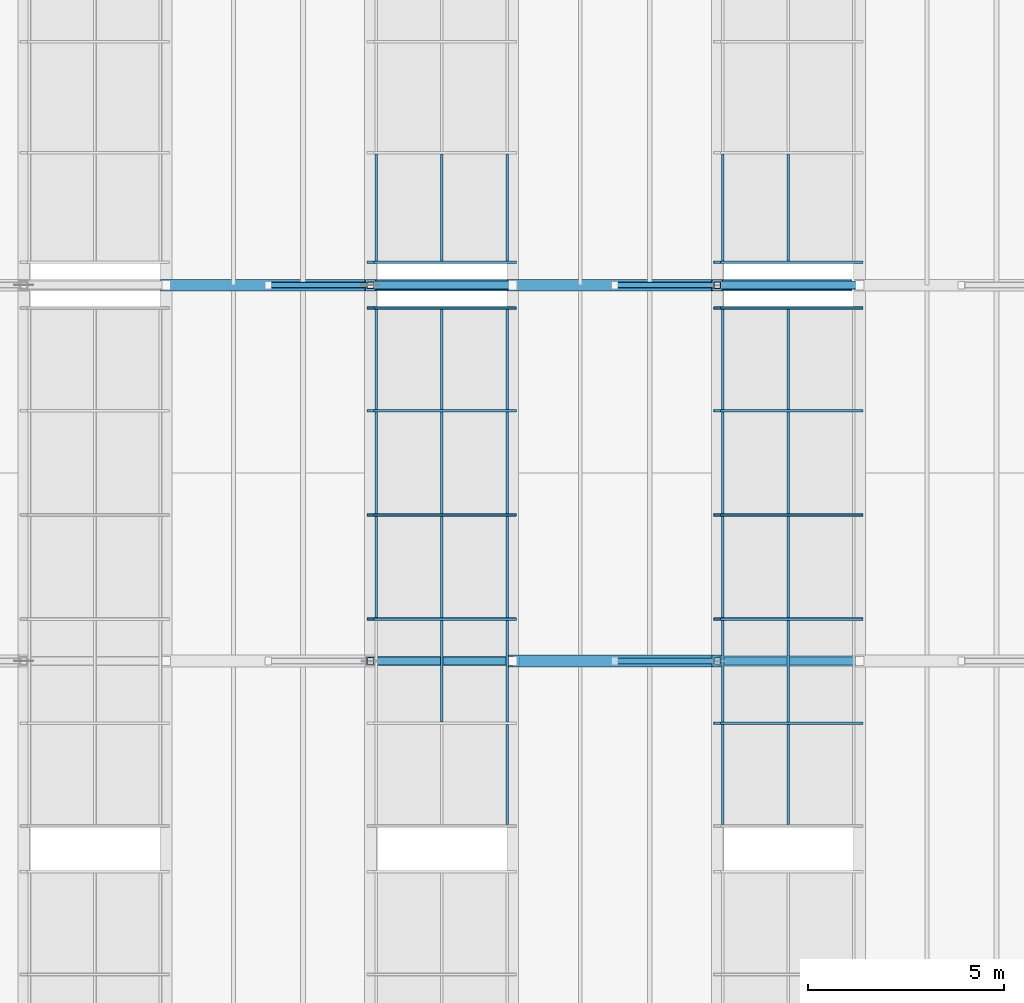
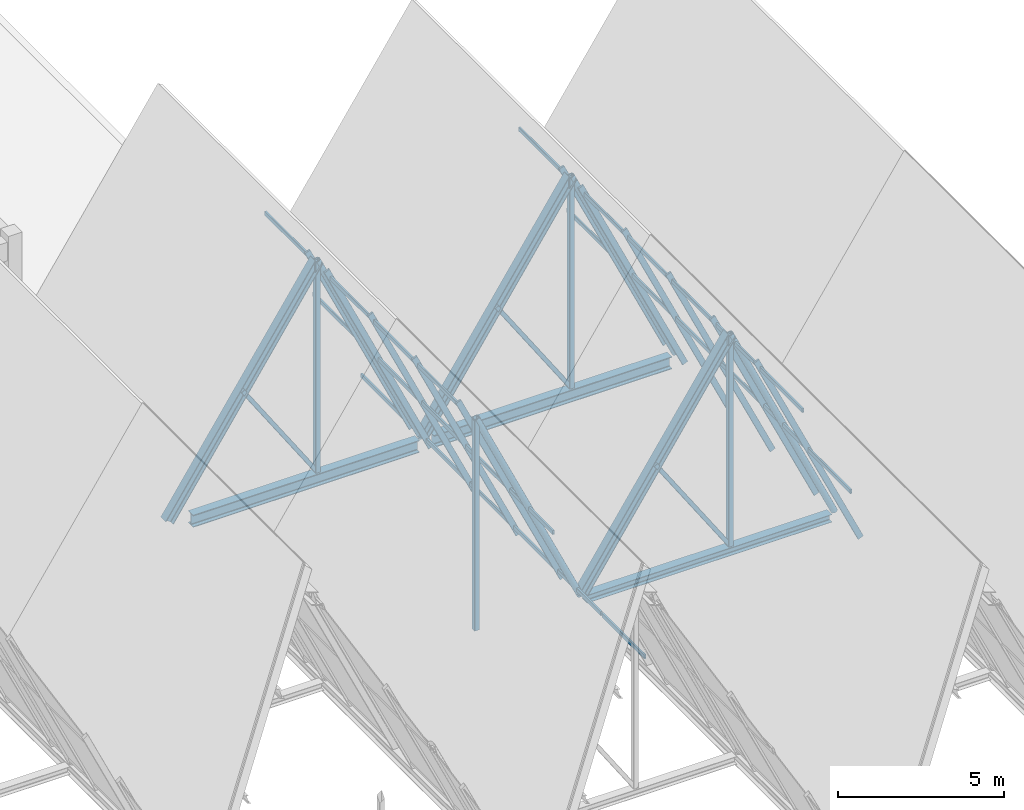
# One storey, part 56 of 99: 53 members, 2 beams, 4 elements without a shape of their own.
"""IFC4 building model written with IfcOpenShell, lengths in metres."""

import ifcopenshell
import ifcopenshell.guid

model = None  # the IFC model being written
_history = None  # IfcOwnerHistory: only IFC2X3 demands one
_inside = {}  # id of a spatial element -> (the spatial element, [elements in it])
_under = {}  # id of a project, library or spatial element -> (it, [spatial elements below it])
_declared = {}  # id of a project -> (the project, [libraries it declares])
_typed = {}  # id of a type object -> (the type object, [elements of that type])
_made_of = {}  # id of a material, layer set ... -> (it, [elements and type objects made of it])


def new_model(schema):
    """Start an empty IFC model of exactly this schema.

    Asked for "IFC4X3", IfcOpenShell would pick the latest addendum, in which some entities
    have other attributes; the version numbers below select the first issue.
    IFC2X3 requires an IfcOwnerHistory on every rooted entity: one is made here for all.
    """
    global model, _history
    if schema == "IFC4X3":
        model = ifcopenshell.file(schema_version=(4, 3, 0, 0))
    else:
        model = ifcopenshell.file(schema=schema)
    _inside.clear()
    _under.clear()
    _declared.clear()
    _typed.clear()
    _made_of.clear()
    _history = None
    if model.schema == "IFC2X3":
        org = make("IfcOrganization", Name="unknown")
        user = make(
            "IfcPersonAndOrganization",
            ThePerson=make("IfcPerson", FamilyName="unknown"),
            TheOrganization=org,
        )
        app = make(
            "IfcApplication",
            ApplicationDeveloper=org,
            Version="unknown",
            ApplicationFullName="unknown",
            ApplicationIdentifier="unknown",
        )
        _history = make(
            "IfcOwnerHistory",
            OwningUser=user,
            OwningApplication=app,
            ChangeAction="ADDED",
            CreationDate=0,
        )
    return model


def make(cls, **values):
    """One entity of the class cls with the attributes given. An attribute that is None is left unset."""
    return model.create_entity(
        cls, **{name: value for name, value in values.items() if value is not None}
    )


def rooted(cls, **values):
    """An entity with a GlobalId (a new one), such as an element, a storey or a relation."""
    return make(cls, GlobalId=ifcopenshell.guid.new(), OwnerHistory=_history, **values)


def si_unit(unit_type, name, prefix=None):
    """IfcSIUnit, for example si_unit("LENGTHUNIT", "METRE", prefix="MILLI")."""
    return make("IfcSIUnit", UnitType=unit_type, Prefix=prefix, Name=name)


def assignment(units):
    """IfcUnitAssignment: the units of a project."""
    return None if units is None else make("IfcUnitAssignment", Units=units)


def point(xyz):
    """IfcCartesianPoint."""
    return None if xyz is None else make("IfcCartesianPoint", Coordinates=xyz)


def direction(xyz):
    """IfcDirection."""
    return None if xyz is None else make("IfcDirection", DirectionRatios=xyz)


def frame(location, z_axis=None, x_axis=None):
    """IfcAxis2Placement3D, a coordinate frame: its origin and axes. An axis left out is left unset."""
    return make(
        "IfcAxis2Placement3D",
        Location=point(location),
        Axis=direction(z_axis),
        RefDirection=direction(x_axis),
    )


def frame_2d(location, x_axis=None):
    """IfcAxis2Placement2D, a coordinate frame in the plane: its origin and x axis."""
    return make(
        "IfcAxis2Placement2D", Location=point(location), RefDirection=direction(x_axis)
    )


def origin():
    """The frame at (0, 0, 0) with its axes left unset."""
    return frame((0.0, 0.0, 0.0))


def origin_2d():
    """The frame at (0, 0) in the plane with its x axis left unset."""
    return frame_2d((0.0, 0.0))


def place(relative_to, where):
    """IfcLocalPlacement: puts the frame where relative to a parent placement (None: the world)."""
    return make(
        "IfcLocalPlacement", PlacementRelTo=relative_to, RelativePlacement=where
    )


def context(
    kind, dimensions, precision=None, world=None, true_north=None, identifier=None
):
    """IfcGeometricRepresentationContext, for example the 3D "Model" context."""
    return make(
        "IfcGeometricRepresentationContext",
        ContextIdentifier=identifier,
        ContextType=kind,
        CoordinateSpaceDimension=dimensions,
        Precision=precision,
        WorldCoordinateSystem=world,
        TrueNorth=true_north,
    )


def subcontext(parent, identifier, kind, view, scale=None):
    """IfcGeometricRepresentationSubContext, for example "Body" below "Model"."""
    return make(
        "IfcGeometricRepresentationSubContext",
        ContextIdentifier=identifier,
        ContextType=kind,
        ParentContext=parent,
        TargetScale=scale,
        TargetView=view,
    )


def project(units=None, contexts=None):
    """IfcProject with its units and contexts."""
    return rooted(
        "IfcProject",
        Name="project",
        RepresentationContexts=contexts,
        UnitsInContext=assignment(units),
    )


def spatial(cls, under=None, at=None, **own):
    """A site, building, storey or space (cls), placed at a placement, below another one or the project."""
    s = rooted(cls, ObjectPlacement=at, **own)
    if under is not None:
        _under.setdefault(under.id(), (under, []))[1].append(s)
    return s


def profile(cls, at=None, kind="AREA", **sizes):
    """A parametric profile (cls). Its sizes go by their IFC names, for example OverallWidth=200.0."""
    return make(cls, ProfileType=kind, Position=at, **sizes)


def hollow_rectangle(**sizes):
    """IfcRectangleHollowProfileDef."""
    return profile("IfcRectangleHollowProfileDef", **sizes)


def hollow_circle(**sizes):
    """IfcCircleHollowProfileDef."""
    return profile("IfcCircleHollowProfileDef", **sizes)


def i_section(**sizes):
    """IfcIShapeProfileDef."""
    return profile("IfcIShapeProfileDef", **sizes)


def extrude(swept, where, along, depth):
    """IfcExtrudedAreaSolid: the profile swept, set in the frame where, extruded along a direction by depth."""
    return make(
        "IfcExtrudedAreaSolid",
        SweptArea=swept,
        Position=where,
        ExtrudedDirection=direction(along),
        Depth=depth,
    )


def shape(context_of_items, identifier, shape_type, items):
    """IfcShapeRepresentation: the items that make up one representation, for example the "Body"."""
    return make(
        "IfcShapeRepresentation",
        ContextOfItems=context_of_items,
        RepresentationIdentifier=identifier,
        RepresentationType=shape_type,
        Items=items,
    )


def material(Name=None, Category=None):
    """IfcMaterial."""
    return make("IfcMaterial", Name=Name, Category=Category)


def material_profile(
    of_material, cross_section, Name=None, Category=None, Priority=None
):
    """IfcMaterialProfile: a cross section and its material."""
    return make(
        "IfcMaterialProfile",
        Name=Name,
        Material=of_material,
        Profile=cross_section,
        Priority=Priority,
        Category=Category,
    )


def profile_set(profiles, Name=None, composite=None):
    """IfcMaterialProfileSet."""
    return make(
        "IfcMaterialProfileSet",
        Name=Name,
        MaterialProfiles=profiles,
        CompositeProfile=composite,
    )


def made_of(thing, what):
    """Note that an element or type object is made of a material, layer set ...; save() writes the relation."""
    if what is not None:
        _made_of.setdefault(what.id(), (what, []))[1].append(thing)
    return thing


def type_object(cls, material=None, **own):
    """A type object (cls), such as IfcWallType, which elements share."""
    return made_of(rooted(cls, **own), material)


def element(
    cls,
    number,
    at=None,
    inside=None,
    cuts=None,
    type_object=None,
    material=None,
    context=None,
    identifier="Body",
    shape_type=None,
    held_by="IfcProductDefinitionShape",
    body=None,
    shapes=None,
    **own,
):
    """One element of the class cls, such as IfcWall. Its Tag is "e" and its number.

    at: its placement. inside: the storey or other place that contains it. cuts: it is an
    opening in that element (IfcRelVoidsElement). A single representation is given by context,
    identifier, shape_type and body (its items); several are given by shapes. held_by: the class
    of the entity that holds the representations. save() writes the other relations.
    """
    e = rooted(cls, Tag="e%d" % number, ObjectPlacement=at, **own)
    if body is not None:
        shapes = [shape(context, identifier, shape_type, body)]
    if shapes is not None:
        e.Representation = make(held_by, Representations=shapes)
    if inside is not None:
        _inside.setdefault(inside.id(), (inside, []))[1].append(e)
    if cuts is not None:
        rooted(
            "IfcRelVoidsElement", RelatingBuildingElement=cuts, RelatedOpeningElement=e
        )
    if type_object is not None:
        _typed.setdefault(type_object.id(), (type_object, []))[1].append(e)
    return made_of(e, material)


def aggregate(whole, parts):
    """IfcRelAggregates: a whole, such as a stair, and the parts it consists of."""
    return rooted("IfcRelAggregates", RelatingObject=whole, RelatedObjects=parts)


def save(model, path):
    """Write the relations noted so far, then the file.

    IfcRelAggregates (storeys below a building ...), IfcRelContainedInSpatialStructure (elements
    in a storey), IfcRelDefinesByType, IfcRelAssociatesMaterial and IfcRelDeclares: one each for
    every whole, place, type object, material and project.
    """
    for whole, parts in _under.values():
        aggregate(whole, parts)
    for where, things in _inside.values():
        rooted(
            "IfcRelContainedInSpatialStructure",
            RelatedElements=things,
            RelatingStructure=where,
        )
    for kind, things in _typed.values():
        rooted("IfcRelDefinesByType", RelatedObjects=things, RelatingType=kind)
    for what, things in _made_of.values():
        rooted("IfcRelAssociatesMaterial", RelatedObjects=things, RelatingMaterial=what)
    for by, libraries in _declared.values():
        rooted("IfcRelDeclares", RelatingContext=by, RelatedDefinitions=libraries)
    model.write(path)


model = new_model("IFC4")

# Units and contexts
model_context = context("Model", 3, precision=1e-05, world=origin(), true_north=direction((0.0, 1.0)))
body_context = subcontext(model_context, "Body", "Model", "MODEL_VIEW")
ifc_project = project(units=[si_unit("LENGTHUNIT", "METRE"), si_unit("AREAUNIT", "SQUARE_METRE"), si_unit("VOLUMEUNIT", "CUBIC_METRE"), si_unit("PLANEANGLEUNIT", "RADIAN"), si_unit("MASSUNIT", "GRAM", prefix="KILO")], contexts=[model_context])

# Site, building, storey
site_placement = place(None, origin())
site = spatial("IfcSite", under=ifc_project, at=site_placement, CompositionType="ELEMENT")
building_placement = place(site_placement, origin())
building = spatial("IfcBuilding", under=site, at=building_placement, Name="Bramveld Media Centre", CompositionType="ELEMENT")
storey_placement = place(building_placement, frame((0.0, 0.0, 13.800048828125)))
storey = spatial("IfcBuildingStorey", under=building, at=storey_placement, Name="L03", CompositionType="ELEMENT", Elevation=13.800048828125)

# Curtain wall, members
ifc_material_1 = material(Name="Thermally broken anodized bronze aluminium unitized curtain wall with solar-control triple glazing", Category="aluminium")
curtain_wall_type_1 = type_object("IfcCurtainWallType", Name="CW-SAW-13300x8606", PredefinedType="NOTDEFINED", material=ifc_material_1)
curtain_wall_1_placement = place(storey_placement, origin())
curtain_wall_1 = element("IfcCurtainWall", 1, at=curtain_wall_1_placement, inside=storey, type_object=curtain_wall_type_1, Name="V1 sawtooth north-light clerestory B5-S2", PredefinedType="NOTDEFINED")
ifc_material_2 = material(Name="Thermally broken anodized bronze aluminium EN AW-6063 T6 curtain-wall framing", Category="aluminium")
ifc_material_profile_1 = material_profile(ifc_material_2, hollow_rectangle(XDim=0.070068359375, YDim=0.199951171875, WallThickness=0.00439453125, InnerFilletRadius=0.00439453125, OuterFilletRadius=0.009033203125, at=origin_2d()), Name="AL-MULL 70x200")
ifc_profile_set_1 = profile_set([ifc_material_profile_1], Name="Thermally broken anodized bronze aluminium EN AW-6063 T6 curtain-wall framing")
member_type_1 = type_object("IfcMemberType", Name="CW-MULL-SLP", PredefinedType="MULLION", material=ifc_profile_set_1)
member_1_placement = place(storey_placement, frame((168.28564453125, 20.27001953125, -0.02001953125), z_axis=(-0.423956992265, 0.0, 0.90568232218), x_axis=(0.0, -1.0, 0.0)))
member_1 = element("IfcMember", 2, at=member_1_placement, type_object=member_type_1, Name="CW-SA-13386 sloped mullion 3", PredefinedType="MULLION", context=body_context, shape_type="SweptSolid", body=[
    extrude(hollow_rectangle(XDim=0.070068359375, YDim=0.199951171875, WallThickness=0.00439453125, InnerFilletRadius=0.00439453125, OuterFilletRadius=0.009033203125, at=origin_2d()), origin(), (0.0, 0.0, 1.0), 8.5791015625),
])
member_2_placement = place(storey_placement, frame((168.28564453125, 22.929931640625, -0.02001953125), z_axis=(-0.423956992265, 0.0, 0.90568232218), x_axis=(0.0, -1.0, 0.0)))
member_2 = element("IfcMember", 3, at=member_2_placement, type_object=member_type_1, Name="CW-SA-13386 sloped mullion 4", PredefinedType="MULLION", context=body_context, shape_type="SweptSolid", body=[
    extrude(hollow_rectangle(XDim=0.070068359375, YDim=0.199951171875, WallThickness=0.00439453125, InnerFilletRadius=0.00439453125, OuterFilletRadius=0.009033203125, at=origin_2d()), origin(), (0.0, 0.0, 1.0), 8.5791015625),
])
member_3_placement = place(storey_placement, frame((168.28564453125, 25.590087890625, -0.02001953125), z_axis=(-0.423956992265, 0.0, 0.90568232218), x_axis=(0.0, -1.0, 0.0)))
member_3 = element("IfcMember", 4, at=member_3_placement, type_object=member_type_1, Name="CW-SA-13386 sloped mullion 5", PredefinedType="MULLION", context=body_context, shape_type="SweptSolid", body=[
    extrude(hollow_rectangle(XDim=0.070068359375, YDim=0.199951171875, WallThickness=0.00439453125, InnerFilletRadius=0.00439453125, OuterFilletRadius=0.009033203125, at=origin_2d()), origin(), (0.0, 0.0, 1.0), 8.5791015625),
])
member_4_placement = place(storey_placement, frame((168.28564453125, 28.215087890625, -0.02001953125), z_axis=(-0.423956992265, 0.0, 0.90568232218), x_axis=(0.0, -1.0, 0.0)))
member_4 = element("IfcMember", 5, at=member_4_placement, type_object=member_type_1, Name="CW-SA-13386 sloped mullion 6", PredefinedType="MULLION", context=body_context, shape_type="SweptSolid", body=[
    extrude(hollow_rectangle(XDim=0.070068359375, YDim=0.199951171875, WallThickness=0.00439453125, InnerFilletRadius=0.00439453125, OuterFilletRadius=0.009033203125, at=origin_2d()), origin(), (0.0, 0.0, 1.0), 8.5791015625),
])

# Curtain wall, member
ifc_material_3 = material(Name="Thermally broken anodized bronze aluminium unitized curtain wall with solar-control triple glazing", Category="aluminium")
curtain_wall_type_2 = type_object("IfcCurtainWallType", Name="CW-SAW-8500x8606", PredefinedType="NOTDEFINED", material=ifc_material_3)
curtain_wall_2_placement = place(storey_placement, origin())
curtain_wall_2 = element("IfcCurtainWall", 6, at=curtain_wall_2_placement, inside=storey, type_object=curtain_wall_type_2, Name="V1 sawtooth north-light clerestory B5-S3", PredefinedType="NOTDEFINED")
member_5_placement = place(storey_placement, frame((168.28564453125, 29.385009765625, -0.02001953125), z_axis=(-0.423956992265, 0.0, 0.90568232218), x_axis=(0.0, -1.0, 0.0)))
member_5 = element("IfcMember", 7, at=member_5_placement, type_object=member_type_1, Name="CW-SA-8586 sloped mullion 1", PredefinedType="MULLION", context=body_context, shape_type="SweptSolid", body=[
    extrude(hollow_rectangle(XDim=0.070068359375, YDim=0.199951171875, WallThickness=0.00439453125, InnerFilletRadius=0.00439453125, OuterFilletRadius=0.009033203125, at=origin_2d()), origin(), (0.0, 0.0, 1.0), 8.5791015625),
])

# Curtain wall, members
curtain_wall_3_placement = place(storey_placement, origin())
curtain_wall_3 = element("IfcCurtainWall", 8, at=curtain_wall_3_placement, inside=storey, type_object=curtain_wall_type_1, Name="V1 sawtooth north-light clerestory B6-S2", PredefinedType="NOTDEFINED")
member_6_placement = place(storey_placement, frame((177.142822265625, 17.610107421875, -0.02001953125), z_axis=(-0.423956992265, 0.0, 0.90568232218), x_axis=(0.0, -1.0, 0.0)))
member_6 = element("IfcMember", 9, at=member_6_placement, type_object=member_type_1, Name="CW-SA-13386 sloped mullion 2", PredefinedType="MULLION", context=body_context, shape_type="SweptSolid", body=[
    extrude(hollow_rectangle(XDim=0.070068359375, YDim=0.199951171875, WallThickness=0.00439453125, InnerFilletRadius=0.00439453125, OuterFilletRadius=0.009033203125, at=origin_2d()), origin(), (0.0, 0.0, 1.0), 8.5791015625),
])
member_7_placement = place(storey_placement, frame((177.142822265625, 20.27001953125, -0.02001953125), z_axis=(-0.423956992265, 0.0, 0.90568232218), x_axis=(0.0, -1.0, 0.0)))
member_7 = element("IfcMember", 10, at=member_7_placement, type_object=member_type_1, Name="CW-SA-13386 sloped mullion 3", PredefinedType="MULLION", context=body_context, shape_type="SweptSolid", body=[
    extrude(hollow_rectangle(XDim=0.070068359375, YDim=0.199951171875, WallThickness=0.00439453125, InnerFilletRadius=0.00439453125, OuterFilletRadius=0.009033203125, at=origin_2d()), origin(), (0.0, 0.0, 1.0), 8.5791015625),
])
member_8_placement = place(storey_placement, frame((177.142822265625, 22.929931640625, -0.02001953125), z_axis=(-0.423956992265, 0.0, 0.90568232218), x_axis=(0.0, -1.0, 0.0)))
member_8 = element("IfcMember", 11, at=member_8_placement, type_object=member_type_1, Name="CW-SA-13386 sloped mullion 4", PredefinedType="MULLION", context=body_context, shape_type="SweptSolid", body=[
    extrude(hollow_rectangle(XDim=0.070068359375, YDim=0.199951171875, WallThickness=0.00439453125, InnerFilletRadius=0.00439453125, OuterFilletRadius=0.009033203125, at=origin_2d()), origin(), (0.0, 0.0, 1.0), 8.5791015625),
])
member_9_placement = place(storey_placement, frame((177.142822265625, 25.590087890625, -0.02001953125), z_axis=(-0.423956992265, 0.0, 0.90568232218), x_axis=(0.0, -1.0, 0.0)))
member_9 = element("IfcMember", 12, at=member_9_placement, type_object=member_type_1, Name="CW-SA-13386 sloped mullion 5", PredefinedType="MULLION", context=body_context, shape_type="SweptSolid", body=[
    extrude(hollow_rectangle(XDim=0.070068359375, YDim=0.199951171875, WallThickness=0.00439453125, InnerFilletRadius=0.00439453125, OuterFilletRadius=0.009033203125, at=origin_2d()), origin(), (0.0, 0.0, 1.0), 8.5791015625),
])
member_10_placement = place(storey_placement, frame((177.142822265625, 28.215087890625, -0.02001953125), z_axis=(-0.423956992265, 0.0, 0.90568232218), x_axis=(0.0, -1.0, 0.0)))
member_10 = element("IfcMember", 13, at=member_10_placement, type_object=member_type_1, Name="CW-SA-13386 sloped mullion 6", PredefinedType="MULLION", context=body_context, shape_type="SweptSolid", body=[
    extrude(hollow_rectangle(XDim=0.070068359375, YDim=0.199951171875, WallThickness=0.00439453125, InnerFilletRadius=0.00439453125, OuterFilletRadius=0.009033203125, at=origin_2d()), origin(), (0.0, 0.0, 1.0), 8.5791015625),
])

# Curtain wall, member
curtain_wall_4_placement = place(storey_placement, origin())
curtain_wall_4 = element("IfcCurtainWall", 14, at=curtain_wall_4_placement, inside=storey, type_object=curtain_wall_type_2, Name="V1 sawtooth north-light clerestory B6-S3", PredefinedType="NOTDEFINED")
member_11_placement = place(storey_placement, frame((177.142822265625, 29.385009765625, -0.02001953125), z_axis=(-0.423956992265, 0.0, 0.90568232218), x_axis=(0.0, -1.0, 0.0)))
member_11 = element("IfcMember", 15, at=member_11_placement, type_object=member_type_1, Name="CW-SA-8586 sloped mullion 1", PredefinedType="MULLION", context=body_context, shape_type="SweptSolid", body=[
    extrude(hollow_rectangle(XDim=0.070068359375, YDim=0.199951171875, WallThickness=0.00439453125, InnerFilletRadius=0.00439453125, OuterFilletRadius=0.009033203125, at=origin_2d()), origin(), (0.0, 0.0, 1.0), 8.5791015625),
])

# Member
ifc_material_4 = material(Name="Thermally broken anodized bronze aluminium EN AW-6063 T6 curtain-wall framing", Category="aluminium")
ifc_material_profile_2 = material_profile(ifc_material_4, hollow_rectangle(XDim=0.070068359375, YDim=0.14990234375, WallThickness=0.00390625, InnerFilletRadius=0.00390625, OuterFilletRadius=0.008056640625, at=origin_2d()), Name="AL-TRAN 70x150")
ifc_profile_set_2 = profile_set([ifc_material_profile_2], Name="Thermally broken anodized bronze aluminium EN AW-6063 T6 curtain-wall framing")
member_type_2 = type_object("IfcMemberType", Name="CW-TRAN-SLP", PredefinedType="USERDEFINED", material=ifc_profile_set_2)
member_12_placement = place(storey_placement, frame((168.14013671875, 15.02001953125, 0.290771484375), z_axis=(0.0, 1.0, 0.0), x_axis=(-1.0, 0.0, 0.0)))
member_12 = element("IfcMember", 16, at=member_12_placement, type_object=member_type_2, Name="CW-SA-13386 transom 1.1", ObjectType="TRANSOM", PredefinedType="USERDEFINED", context=body_context, shape_type="SweptSolid", body=[
    extrude(hollow_rectangle(XDim=0.070068359375, YDim=0.14990234375, WallThickness=0.00390625, InnerFilletRadius=0.00390625, OuterFilletRadius=0.008056640625, at=origin_2d()), origin(), (0.0, 0.0, 1.0), 2.554931640625),
])

member_13_placement = place(storey_placement, frame((168.14013671875, 17.64501953125, 0.290771484375), z_axis=(0.0, 1.0, 0.0), x_axis=(-1.0, 0.0, 0.0)))
member_13 = element("IfcMember", 17, at=member_13_placement, type_object=member_type_2, Name="CW-SA-13386 transom 2.1", ObjectType="TRANSOM", PredefinedType="USERDEFINED", context=body_context, shape_type="SweptSolid", body=[
    extrude(hollow_rectangle(XDim=0.070068359375, YDim=0.14990234375, WallThickness=0.00390625, InnerFilletRadius=0.00390625, OuterFilletRadius=0.008056640625, at=origin_2d()), origin(), (0.0, 0.0, 1.0), 2.590087890625),
])

member_14_placement = place(storey_placement, frame((166.467041015625, 17.64501953125, 3.864990234375), z_axis=(0.0, 1.0, 0.0), x_axis=(-1.0, 0.0, 0.0)))
member_14 = element("IfcMember", 18, at=member_14_placement, type_object=member_type_2, Name="CW-SA-13386 transom 2.2", ObjectType="TRANSOM", PredefinedType="USERDEFINED", context=body_context, shape_type="SweptSolid", body=[
    extrude(hollow_rectangle(XDim=0.070068359375, YDim=0.14990234375, WallThickness=0.00390625, InnerFilletRadius=0.00390625, OuterFilletRadius=0.008056640625, at=origin_2d()), origin(), (0.0, 0.0, 1.0), 2.590087890625),
])

member_15_placement = place(storey_placement, frame((168.14013671875, 20.304931640625, 0.290771484375), z_axis=(0.0, 1.0, 0.0), x_axis=(-1.0, 0.0, 0.0)))
member_15 = element("IfcMember", 19, at=member_15_placement, type_object=member_type_2, Name="CW-SA-13386 transom 3.1", ObjectType="TRANSOM", PredefinedType="USERDEFINED", context=body_context, shape_type="SweptSolid", body=[
    extrude(hollow_rectangle(XDim=0.070068359375, YDim=0.14990234375, WallThickness=0.00390625, InnerFilletRadius=0.00390625, OuterFilletRadius=0.008056640625, at=origin_2d()), origin(), (0.0, 0.0, 1.0), 2.590087890625),
])

member_16_placement = place(storey_placement, frame((166.467041015625, 20.304931640625, 3.864990234375), z_axis=(0.0, 1.0, 0.0), x_axis=(-1.0, 0.0, 0.0)))
member_16 = element("IfcMember", 20, at=member_16_placement, type_object=member_type_2, Name="CW-SA-13386 transom 3.2", ObjectType="TRANSOM", PredefinedType="USERDEFINED", context=body_context, shape_type="SweptSolid", body=[
    extrude(hollow_rectangle(XDim=0.070068359375, YDim=0.14990234375, WallThickness=0.00390625, InnerFilletRadius=0.00390625, OuterFilletRadius=0.008056640625, at=origin_2d()), origin(), (0.0, 0.0, 1.0), 2.590087890625),
])

member_17_placement = place(storey_placement, frame((164.7939453125, 20.304931640625, 7.439208984375), z_axis=(0.0, 1.0, 0.0), x_axis=(-1.0, 0.0, 0.0)))
member_17 = element("IfcMember", 21, at=member_17_placement, type_object=member_type_2, Name="CW-SA-13386 transom 3.3", ObjectType="TRANSOM", PredefinedType="USERDEFINED", context=body_context, shape_type="SweptSolid", body=[
    extrude(hollow_rectangle(XDim=0.070068359375, YDim=0.14990234375, WallThickness=0.00390625, InnerFilletRadius=0.00390625, OuterFilletRadius=0.008056640625, at=origin_2d()), origin(), (0.0, 0.0, 1.0), 2.590087890625),
])

member_18_placement = place(storey_placement, frame((168.14013671875, 22.965087890625, 0.290771484375), z_axis=(0.0, 1.0, 0.0), x_axis=(-1.0, 0.0, 0.0)))
member_18 = element("IfcMember", 22, at=member_18_placement, type_object=member_type_2, Name="CW-SA-13386 transom 4.1", ObjectType="TRANSOM", PredefinedType="USERDEFINED", context=body_context, shape_type="SweptSolid", body=[
    extrude(hollow_rectangle(XDim=0.070068359375, YDim=0.14990234375, WallThickness=0.00390625, InnerFilletRadius=0.00390625, OuterFilletRadius=0.008056640625, at=origin_2d()), origin(), (0.0, 0.0, 1.0), 2.58984375),
])

member_19_placement = place(storey_placement, frame((166.467041015625, 22.965087890625, 3.864990234375), z_axis=(0.0, 1.0, 0.0), x_axis=(-1.0, 0.0, 0.0)))
member_19 = element("IfcMember", 23, at=member_19_placement, type_object=member_type_2, Name="CW-SA-13386 transom 4.2", ObjectType="TRANSOM", PredefinedType="USERDEFINED", context=body_context, shape_type="SweptSolid", body=[
    extrude(hollow_rectangle(XDim=0.070068359375, YDim=0.14990234375, WallThickness=0.00390625, InnerFilletRadius=0.00390625, OuterFilletRadius=0.008056640625, at=origin_2d()), origin(), (0.0, 0.0, 1.0), 2.58984375),
])

member_20_placement = place(storey_placement, frame((164.7939453125, 22.965087890625, 7.439208984375), z_axis=(0.0, 1.0, 0.0), x_axis=(-1.0, 0.0, 0.0)))
member_20 = element("IfcMember", 24, at=member_20_placement, type_object=member_type_2, Name="CW-SA-13386 transom 4.3", ObjectType="TRANSOM", PredefinedType="USERDEFINED", context=body_context, shape_type="SweptSolid", body=[
    extrude(hollow_rectangle(XDim=0.070068359375, YDim=0.14990234375, WallThickness=0.00390625, InnerFilletRadius=0.00390625, OuterFilletRadius=0.008056640625, at=origin_2d()), origin(), (0.0, 0.0, 1.0), 2.58984375),
])

member_21_placement = place(storey_placement, frame((168.14013671875, 25.625, 0.290771484375), z_axis=(0.0, 1.0, 0.0), x_axis=(-1.0, 0.0, 0.0)))
member_21 = element("IfcMember", 25, at=member_21_placement, type_object=member_type_2, Name="CW-SA-13386 transom 5.1", ObjectType="TRANSOM", PredefinedType="USERDEFINED", context=body_context, shape_type="SweptSolid", body=[
    extrude(hollow_rectangle(XDim=0.070068359375, YDim=0.14990234375, WallThickness=0.00390625, InnerFilletRadius=0.00390625, OuterFilletRadius=0.008056640625, at=origin_2d()), origin(), (0.0, 0.0, 1.0), 2.554931640625),
])

member_22_placement = place(storey_placement, frame((166.467041015625, 25.625, 3.864990234375), z_axis=(0.0, 1.0, 0.0), x_axis=(-1.0, 0.0, 0.0)))
member_22 = element("IfcMember", 26, at=member_22_placement, type_object=member_type_2, Name="CW-SA-13386 transom 5.2", ObjectType="TRANSOM", PredefinedType="USERDEFINED", context=body_context, shape_type="SweptSolid", body=[
    extrude(hollow_rectangle(XDim=0.070068359375, YDim=0.14990234375, WallThickness=0.00390625, InnerFilletRadius=0.00390625, OuterFilletRadius=0.008056640625, at=origin_2d()), origin(), (0.0, 0.0, 1.0), 2.554931640625),
])

member_23_placement = place(storey_placement, frame((164.7939453125, 25.625, 7.439208984375), z_axis=(0.0, 1.0, 0.0), x_axis=(-1.0, 0.0, 0.0)))
member_23 = element("IfcMember", 27, at=member_23_placement, type_object=member_type_2, Name="CW-SA-13386 transom 5.3", ObjectType="TRANSOM", PredefinedType="USERDEFINED", context=body_context, shape_type="SweptSolid", body=[
    extrude(hollow_rectangle(XDim=0.070068359375, YDim=0.14990234375, WallThickness=0.00390625, InnerFilletRadius=0.00390625, OuterFilletRadius=0.008056640625, at=origin_2d()), origin(), (0.0, 0.0, 1.0), 2.554931640625),
])

aggregate(curtain_wall_1, [member_1, member_2, member_3, member_4, member_12, member_13, member_14, member_15, member_16, member_17, member_18, member_19, member_20, member_21, member_22, member_23])

member_24_placement = place(storey_placement, frame((168.14013671875, 29.419921875, 0.290771484375), z_axis=(0.0, 1.0, 0.0), x_axis=(-1.0, 0.0, 0.0)))
member_24 = element("IfcMember", 28, at=member_24_placement, type_object=member_type_2, Name="CW-SA-8586 transom 1.1", ObjectType="TRANSOM", PredefinedType="USERDEFINED", context=body_context, shape_type="SweptSolid", body=[
    extrude(hollow_rectangle(XDim=0.070068359375, YDim=0.14990234375, WallThickness=0.00390625, InnerFilletRadius=0.00390625, OuterFilletRadius=0.008056640625, at=origin_2d()), origin(), (0.0, 0.0, 1.0), 2.728271484375),
])

member_25_placement = place(storey_placement, frame((166.467041015625, 29.419921875, 3.864990234375), z_axis=(0.0, 1.0, 0.0), x_axis=(-1.0, 0.0, 0.0)))
member_25 = element("IfcMember", 29, at=member_25_placement, type_object=member_type_2, Name="CW-SA-8586 transom 1.2", ObjectType="TRANSOM", PredefinedType="USERDEFINED", context=body_context, shape_type="SweptSolid", body=[
    extrude(hollow_rectangle(XDim=0.070068359375, YDim=0.14990234375, WallThickness=0.00390625, InnerFilletRadius=0.00390625, OuterFilletRadius=0.008056640625, at=origin_2d()), origin(), (0.0, 0.0, 1.0), 2.728271484375),
])

member_26_placement = place(storey_placement, frame((164.7939453125, 29.419921875, 7.439208984375), z_axis=(0.0, 1.0, 0.0), x_axis=(-1.0, 0.0, 0.0)))
member_26 = element("IfcMember", 30, at=member_26_placement, type_object=member_type_2, Name="CW-SA-8586 transom 1.3", ObjectType="TRANSOM", PredefinedType="USERDEFINED", context=body_context, shape_type="SweptSolid", body=[
    extrude(hollow_rectangle(XDim=0.070068359375, YDim=0.14990234375, WallThickness=0.00390625, InnerFilletRadius=0.00390625, OuterFilletRadius=0.008056640625, at=origin_2d()), origin(), (0.0, 0.0, 1.0), 2.728271484375),
])

aggregate(curtain_wall_2, [member_5, member_24, member_25, member_26])

member_27_placement = place(storey_placement, frame((175.32421875, 15.02001953125, 3.864990234375), z_axis=(0.0, 1.0, 0.0), x_axis=(-1.0, 0.0, 0.0)))
member_27 = element("IfcMember", 31, at=member_27_placement, type_object=member_type_2, Name="CW-SA-13386 transom 1.2", ObjectType="TRANSOM", PredefinedType="USERDEFINED", context=body_context, shape_type="SweptSolid", body=[
    extrude(hollow_rectangle(XDim=0.070068359375, YDim=0.14990234375, WallThickness=0.00390625, InnerFilletRadius=0.00390625, OuterFilletRadius=0.008056640625, at=origin_2d()), origin(), (0.0, 0.0, 1.0), 2.554931640625),
])

member_28_placement = place(storey_placement, frame((173.651123046875, 15.02001953125, 7.439208984375), z_axis=(0.0, 1.0, 0.0), x_axis=(-1.0, 0.0, 0.0)))
member_28 = element("IfcMember", 32, at=member_28_placement, type_object=member_type_2, Name="CW-SA-13386 transom 1.3", ObjectType="TRANSOM", PredefinedType="USERDEFINED", context=body_context, shape_type="SweptSolid", body=[
    extrude(hollow_rectangle(XDim=0.070068359375, YDim=0.14990234375, WallThickness=0.00390625, InnerFilletRadius=0.00390625, OuterFilletRadius=0.008056640625, at=origin_2d()), origin(), (0.0, 0.0, 1.0), 2.554931640625),
])

member_29_placement = place(storey_placement, frame((175.32421875, 17.64501953125, 3.864990234375), z_axis=(0.0, 1.0, 0.0), x_axis=(-1.0, 0.0, 0.0)))
member_29 = element("IfcMember", 33, at=member_29_placement, type_object=member_type_2, Name="CW-SA-13386 transom 2.2", ObjectType="TRANSOM", PredefinedType="USERDEFINED", context=body_context, shape_type="SweptSolid", body=[
    extrude(hollow_rectangle(XDim=0.070068359375, YDim=0.14990234375, WallThickness=0.00390625, InnerFilletRadius=0.00390625, OuterFilletRadius=0.008056640625, at=origin_2d()), origin(), (0.0, 0.0, 1.0), 2.590087890625),
])

member_30_placement = place(storey_placement, frame((173.651123046875, 17.64501953125, 7.439208984375), z_axis=(0.0, 1.0, 0.0), x_axis=(-1.0, 0.0, 0.0)))
member_30 = element("IfcMember", 34, at=member_30_placement, type_object=member_type_2, Name="CW-SA-13386 transom 2.3", ObjectType="TRANSOM", PredefinedType="USERDEFINED", context=body_context, shape_type="SweptSolid", body=[
    extrude(hollow_rectangle(XDim=0.070068359375, YDim=0.14990234375, WallThickness=0.00390625, InnerFilletRadius=0.00390625, OuterFilletRadius=0.008056640625, at=origin_2d()), origin(), (0.0, 0.0, 1.0), 2.590087890625),
])

member_31_placement = place(storey_placement, frame((175.32421875, 20.304931640625, 3.864990234375), z_axis=(0.0, 1.0, 0.0), x_axis=(-1.0, 0.0, 0.0)))
member_31 = element("IfcMember", 35, at=member_31_placement, type_object=member_type_2, Name="CW-SA-13386 transom 3.2", ObjectType="TRANSOM", PredefinedType="USERDEFINED", context=body_context, shape_type="SweptSolid", body=[
    extrude(hollow_rectangle(XDim=0.070068359375, YDim=0.14990234375, WallThickness=0.00390625, InnerFilletRadius=0.00390625, OuterFilletRadius=0.008056640625, at=origin_2d()), origin(), (0.0, 0.0, 1.0), 2.590087890625),
])

member_32_placement = place(storey_placement, frame((173.651123046875, 20.304931640625, 7.439208984375), z_axis=(0.0, 1.0, 0.0), x_axis=(-1.0, 0.0, 0.0)))
member_32 = element("IfcMember", 36, at=member_32_placement, type_object=member_type_2, Name="CW-SA-13386 transom 3.3", ObjectType="TRANSOM", PredefinedType="USERDEFINED", context=body_context, shape_type="SweptSolid", body=[
    extrude(hollow_rectangle(XDim=0.070068359375, YDim=0.14990234375, WallThickness=0.00390625, InnerFilletRadius=0.00390625, OuterFilletRadius=0.008056640625, at=origin_2d()), origin(), (0.0, 0.0, 1.0), 2.590087890625),
])

member_33_placement = place(storey_placement, frame((175.32421875, 22.965087890625, 3.864990234375), z_axis=(0.0, 1.0, 0.0), x_axis=(-1.0, 0.0, 0.0)))
member_33 = element("IfcMember", 37, at=member_33_placement, type_object=member_type_2, Name="CW-SA-13386 transom 4.2", ObjectType="TRANSOM", PredefinedType="USERDEFINED", context=body_context, shape_type="SweptSolid", body=[
    extrude(hollow_rectangle(XDim=0.070068359375, YDim=0.14990234375, WallThickness=0.00390625, InnerFilletRadius=0.00390625, OuterFilletRadius=0.008056640625, at=origin_2d()), origin(), (0.0, 0.0, 1.0), 2.58984375),
])

member_34_placement = place(storey_placement, frame((173.651123046875, 22.965087890625, 7.439208984375), z_axis=(0.0, 1.0, 0.0), x_axis=(-1.0, 0.0, 0.0)))
member_34 = element("IfcMember", 38, at=member_34_placement, type_object=member_type_2, Name="CW-SA-13386 transom 4.3", ObjectType="TRANSOM", PredefinedType="USERDEFINED", context=body_context, shape_type="SweptSolid", body=[
    extrude(hollow_rectangle(XDim=0.070068359375, YDim=0.14990234375, WallThickness=0.00390625, InnerFilletRadius=0.00390625, OuterFilletRadius=0.008056640625, at=origin_2d()), origin(), (0.0, 0.0, 1.0), 2.58984375),
])

member_35_placement = place(storey_placement, frame((175.32421875, 25.625, 3.864990234375), z_axis=(0.0, 1.0, 0.0), x_axis=(-1.0, 0.0, 0.0)))
member_35 = element("IfcMember", 39, at=member_35_placement, type_object=member_type_2, Name="CW-SA-13386 transom 5.2", ObjectType="TRANSOM", PredefinedType="USERDEFINED", context=body_context, shape_type="SweptSolid", body=[
    extrude(hollow_rectangle(XDim=0.070068359375, YDim=0.14990234375, WallThickness=0.00390625, InnerFilletRadius=0.00390625, OuterFilletRadius=0.008056640625, at=origin_2d()), origin(), (0.0, 0.0, 1.0), 2.554931640625),
])

member_36_placement = place(storey_placement, frame((173.651123046875, 25.625, 7.439208984375), z_axis=(0.0, 1.0, 0.0), x_axis=(-1.0, 0.0, 0.0)))
member_36 = element("IfcMember", 40, at=member_36_placement, type_object=member_type_2, Name="CW-SA-13386 transom 5.3", ObjectType="TRANSOM", PredefinedType="USERDEFINED", context=body_context, shape_type="SweptSolid", body=[
    extrude(hollow_rectangle(XDim=0.070068359375, YDim=0.14990234375, WallThickness=0.00390625, InnerFilletRadius=0.00390625, OuterFilletRadius=0.008056640625, at=origin_2d()), origin(), (0.0, 0.0, 1.0), 2.554931640625),
])

aggregate(curtain_wall_3, [member_6, member_7, member_8, member_9, member_10, member_27, member_28, member_29, member_30, member_31, member_32, member_33, member_34, member_35, member_36])

member_37_placement = place(storey_placement, frame((175.32421875, 29.419921875, 3.864990234375), z_axis=(0.0, 1.0, 0.0), x_axis=(-1.0, 0.0, 0.0)))
member_37 = element("IfcMember", 41, at=member_37_placement, type_object=member_type_2, Name="CW-SA-8586 transom 1.2", ObjectType="TRANSOM", PredefinedType="USERDEFINED", context=body_context, shape_type="SweptSolid", body=[
    extrude(hollow_rectangle(XDim=0.070068359375, YDim=0.14990234375, WallThickness=0.00390625, InnerFilletRadius=0.00390625, OuterFilletRadius=0.008056640625, at=origin_2d()), origin(), (0.0, 0.0, 1.0), 2.728271484375),
])

member_38_placement = place(storey_placement, frame((173.651123046875, 29.419921875, 7.439208984375), z_axis=(0.0, 1.0, 0.0), x_axis=(-1.0, 0.0, 0.0)))
member_38 = element("IfcMember", 42, at=member_38_placement, type_object=member_type_2, Name="CW-SA-8586 transom 1.3", ObjectType="TRANSOM", PredefinedType="USERDEFINED", context=body_context, shape_type="SweptSolid", body=[
    extrude(hollow_rectangle(XDim=0.070068359375, YDim=0.14990234375, WallThickness=0.00390625, InnerFilletRadius=0.00390625, OuterFilletRadius=0.008056640625, at=origin_2d()), origin(), (0.0, 0.0, 1.0), 2.728271484375),
])

aggregate(curtain_wall_4, [member_11, member_37, member_38])

# Members
ifc_material_5 = material(Name="Steel S355J2H", Category="steel")
ifc_material_profile_3 = material_profile(ifc_material_5, hollow_circle(Radius=0.109619140625, WallThickness=0.012451171875, at=origin_2d()), Name="CHS 219.1x12.5")
ifc_profile_set_3 = profile_set([ifc_material_profile_3], Name="Steel S355J2H")
member_type_3 = type_object("IfcMemberType", Name="MEM-BRACE-CHS219", PredefinedType="BRACE", material=ifc_profile_set_3)
for number, where, z_axis, x_axis, name in (
    (43, (168.28564453125, 19.199951171875, 0.0), (-0.422616785161, 0.0, 0.906308475575), (0.0, -1.0, 0.0), "TRUSS-V1-B05-F3 north-light strut"),
    (44, (168.28564453125, 28.800048828125, 0.0), (-0.422616785161, 0.0, 0.906308475575), (0.0, -1.0, 0.0), "TRUSS-V1-B05-F4 north-light strut"),
    (45, (177.142822265625, 19.199951171875, 0.0), (-0.422616785161, 0.0, 0.906308475575), (0.0, -1.0, 0.0), "TRUSS-V1-B06-F3 north-light strut"),
    (46, (177.142822265625, 28.800048828125, 0.0), (-0.422616785161, 0.0, 0.906308475575), (0.0, -1.0, 0.0), "TRUSS-V1-B06-F4 north-light strut"),
):
    element("IfcMember", number, at=place(storey_placement, frame(where, z_axis=z_axis, x_axis=x_axis)), inside=storey, type_object=member_type_3, Name=name, PredefinedType="BRACE", context=body_context, shape_type="SweptSolid", body=[
        extrude(hollow_circle(Radius=0.109619140625, WallThickness=0.012451171875, at=origin_2d()), origin(), (0.0, 0.0, 1.0), 8.6064453125),
    ])
ifc_material_6 = material(Name="Steel S355J2H", Category="steel")
ifc_material_profile_4 = material_profile(ifc_material_6, hollow_rectangle(XDim=0.14990234375, YDim=0.14990234375, WallThickness=0.010009765625, InnerFilletRadius=0.010009765625, OuterFilletRadius=0.02001953125, at=origin_2d()), Name="SHS 150x150x10")
ifc_profile_set_4 = profile_set([ifc_material_profile_4], Name="Steel S355J2H")
member_type_4 = type_object("IfcMemberType", Name="MEM-BRACE-SHS150", PredefinedType="BRACE", material=ifc_profile_set_4)
member_39_placement = place(storey_placement, frame((164.6484375, 28.800048828125, 0.0), z_axis=(-0.55616408489, 0.0, 0.83107250627), x_axis=(0.0, -1.0, 0.0)))
element("IfcMember", 47, at=member_39_placement, inside=storey, type_object=member_type_4, Name="TRUSS-V1-B05-F4 web diagonal", PredefinedType="BRACE", context=body_context, shape_type="SweptSolid", body=[
    extrude(hollow_rectangle(XDim=0.14990234375, YDim=0.14990234375, WallThickness=0.010009765625, InnerFilletRadius=0.010009765625, OuterFilletRadius=0.02001953125, at=origin_2d()), origin(), (0.0, 0.0, 1.0), 4.692626953125),
])
for number, where, z_axis, x_axis, name in (
    (48, (173.505615234375, 19.199951171875, 0.0), (-0.556200017124, 0.0, 0.831048458847), (0.0, -1.0, 0.0), "TRUSS-V1-B06-F3 web diagonal"),
    (49, (173.505615234375, 28.800048828125, 0.0), (-0.556200017124, 0.0, 0.831048458847), (0.0, -1.0, 0.0), "TRUSS-V1-B06-F4 web diagonal"),
):
    element("IfcMember", number, at=place(storey_placement, frame(where, z_axis=z_axis, x_axis=x_axis)), inside=storey, type_object=member_type_4, Name=name, PredefinedType="BRACE", context=body_context, shape_type="SweptSolid", body=[
        extrude(hollow_rectangle(XDim=0.14990234375, YDim=0.14990234375, WallThickness=0.010009765625, InnerFilletRadius=0.010009765625, OuterFilletRadius=0.02001953125, at=origin_2d()), origin(), (0.0, 0.0, 1.0), 4.69287109375),
    ])
ifc_material_7 = material(Name="Steel S355J2", Category="steel")
ifc_material_profile_5 = material_profile(ifc_material_7, i_section(OverallWidth=0.300048828125, OverallDepth=0.2900390625, WebThickness=0.008544921875, FlangeThickness=0.013916015625, FilletRadius=0.027099609375, at=origin_2d()), Name="HEA 300")
ifc_profile_set_5 = profile_set([ifc_material_profile_5], Name="Steel S355J2")
member_type_5 = type_object("IfcMemberType", Name="MEM-CHORD-HEA300", PredefinedType="CHORD", material=ifc_profile_set_5)
member_40_placement = place(storey_placement, frame((168.44580078125, 19.199951171875, -0.14501953125), z_axis=(1.0, 0.0, 0.0), x_axis=(0.0, 1.0, 0.0)))
element("IfcMember", 50, at=member_40_placement, inside=storey, type_object=member_type_5, Name="TRUSS-V1-B06-F3 bottom tie chord", PredefinedType="CHORD", context=body_context, shape_type="SweptSolid", body=[
    extrude(i_section(OverallWidth=0.300048828125, OverallDepth=0.2900390625, WebThickness=0.008544921875, FlangeThickness=0.013916015625, FilletRadius=0.027099609375, at=origin_2d()), origin(), (0.0, 0.0, 1.0), 8.537109375),
])
ifc_material_8 = material(Name="Steel S355J2", Category="steel")
ifc_material_profile_6 = material_profile(ifc_material_8, i_section(OverallWidth=0.300048828125, OverallDepth=0.340087890625, WebThickness=0.011962890625, FlangeThickness=0.021484375, FilletRadius=0.027099609375, at=origin_2d()), Name="HEB 340")
ifc_profile_set_6 = profile_set([ifc_material_profile_6], Name="Steel S355J2")
member_type_6 = type_object("IfcMemberType", Name="MEM-CHORD-HEB340", PredefinedType="CHORD", material=ifc_profile_set_6)
for number, where, z_axis, x_axis, name in (
    (51, (159.4287109375, 28.800048828125, 0.0), (0.55615206142, 0.0, 0.8310805524), (0.0, 1.0, 0.0), "TRUSS-V1-B05-F4 top rafter chord"),
    (52, (168.28564453125, 19.199951171875, 0.0), (0.556170027887, 0.0, 0.831068529112), (0.0, 1.0, 0.0), "TRUSS-V1-B06-F3 top rafter chord"),
    (53, (168.28564453125, 28.800048828125, 0.0), (0.556170027887, 0.0, 0.831068529112), (0.0, 1.0, 0.0), "TRUSS-V1-B06-F4 top rafter chord"),
):
    element("IfcMember", number, at=place(storey_placement, frame(where, z_axis=z_axis, x_axis=x_axis)), inside=storey, type_object=member_type_6, Name=name, PredefinedType="CHORD", context=body_context, shape_type="SweptSolid", body=[
        extrude(i_section(OverallWidth=0.300048828125, OverallDepth=0.340087890625, WebThickness=0.011962890625, FlangeThickness=0.021484375, FilletRadius=0.027099609375, at=origin_2d()), origin(), (0.0, 0.0, 1.0), 9.385498046875),
    ])
ifc_material_9 = material(Name="Steel S355J2H", Category="steel")
ifc_material_profile_7 = material_profile(ifc_material_9, hollow_rectangle(XDim=0.179931640625, YDim=0.179931640625, WallThickness=0.010009765625, InnerFilletRadius=0.010009765625, OuterFilletRadius=0.02001953125, at=origin_2d()), Name="SHS 180x180x10")
ifc_profile_set_7 = profile_set([ifc_material_profile_7], Name="Steel S355J2H")
member_type_7 = type_object("IfcMemberType", Name="MEM-POST-SHS180", PredefinedType="POST", material=ifc_profile_set_7)
for number, where, z_axis, x_axis, name in (
    (54, (164.6484375, 19.199951171875, 0.0), (0.0, 0.0, 1.0), (1.0, 0.0, 0.0), "TRUSS-V1-B05-F3 kingpost"),
    (55, (164.6484375, 28.800048828125, 0.0), (0.0, 0.0, 1.0), (1.0, 0.0, 0.0), "TRUSS-V1-B05-F4 kingpost"),
    (56, (173.505615234375, 19.199951171875, 0.0), (0.0, 0.0, 1.0), (1.0, 0.0, 0.0), "TRUSS-V1-B06-F3 kingpost"),
    (57, (173.505615234375, 28.800048828125, 0.0), (0.0, 0.0, 1.0), (1.0, 0.0, 0.0), "TRUSS-V1-B06-F4 kingpost"),
):
    element("IfcMember", number, at=place(storey_placement, frame(where, z_axis=z_axis, x_axis=x_axis)), inside=storey, type_object=member_type_7, Name=name, PredefinedType="POST", context=body_context, shape_type="SweptSolid", body=[
        extrude(hollow_rectangle(XDim=0.179931640625, YDim=0.179931640625, WallThickness=0.010009765625, InnerFilletRadius=0.010009765625, OuterFilletRadius=0.02001953125, at=origin_2d()), origin(), (0.0, 0.0, 1.0), 7.800048828125),
    ])

# Beams
ifc_material_10 = material(Name="Steel S355J2", Category="steel")
ifc_material_profile_8 = material_profile(ifc_material_10, i_section(OverallWidth=0.300048828125, OverallDepth=0.449951171875, WebThickness=0.013916015625, FlangeThickness=0.02587890625, FilletRadius=0.027099609375, at=origin_2d()), Name="HEB 450")
ifc_profile_set_8 = profile_set([ifc_material_profile_8], Name="Steel S355J2")
beam_type = type_object("IfcBeamType", Name="SBM-INT-HEB-450", PredefinedType="BEAM", material=ifc_profile_set_8)
beam_1_placement = place(storey_placement, frame((160.25, 28.800048828125, -0.22509765625), z_axis=(1.0, 0.0, 0.0), x_axis=(0.0, 1.0, 0.0)))
element("IfcBeam", 58, at=beam_1_placement, inside=storey, type_object=beam_type, Name="V1 sawtooth tie girder", PredefinedType="BEAM", context=body_context, shape_type="SweptSolid", body=[
    extrude(i_section(OverallWidth=0.300048828125, OverallDepth=0.449951171875, WebThickness=0.013916015625, FlangeThickness=0.02587890625, FilletRadius=0.027099609375, at=origin_2d()), origin(), (0.0, 0.0, 1.0), 7.89990234375),
])
beam_2_placement = place(storey_placement, frame((168.64990234375, 28.800048828125, -0.22509765625), z_axis=(1.0, 0.0, 0.0), x_axis=(0.0, 1.0, 0.0)))
element("IfcBeam", 59, at=beam_2_placement, inside=storey, type_object=beam_type, Name="V1 sawtooth tie girder", PredefinedType="BEAM", context=body_context, shape_type="SweptSolid", body=[
    extrude(i_section(OverallWidth=0.300048828125, OverallDepth=0.449951171875, WebThickness=0.013916015625, FlangeThickness=0.02587890625, FilletRadius=0.027099609375, at=origin_2d()), origin(), (0.0, 0.0, 1.0), 8.300048828125),
])

save(model, "model.ifc")
